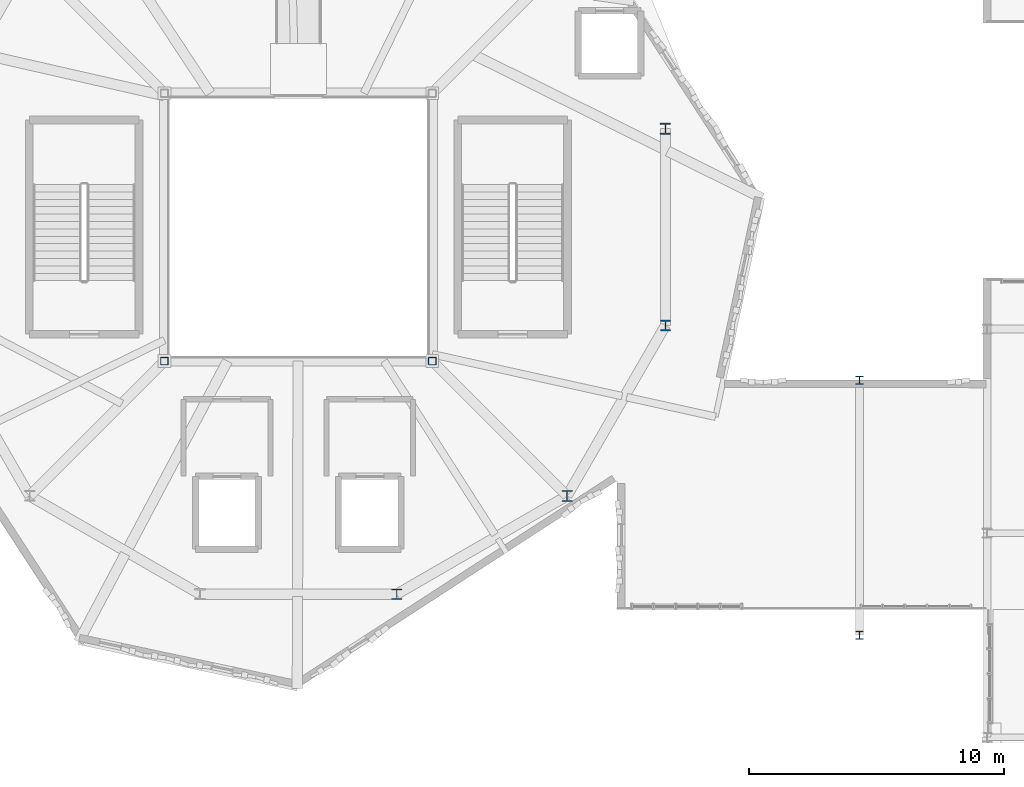
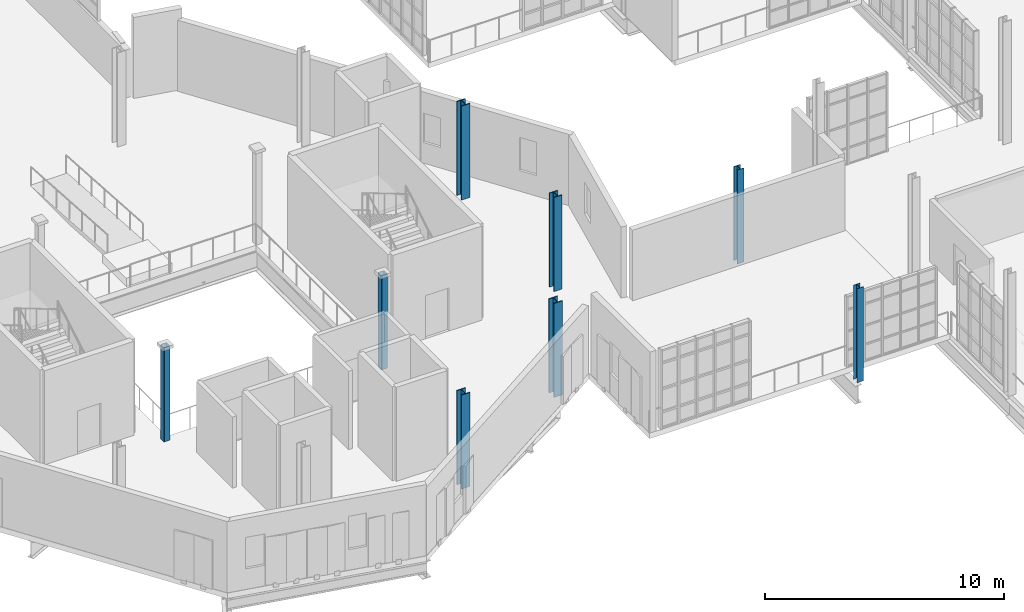
# One storey, part 2 of 118: 8 columns.
"""IFC4 building model written with IfcOpenShell, lengths in metres."""

from ifc_helpers import new_model, si_unit, direction, frame, origin, origin_2d, place, context, subcontext, project, spatial, hollow_rectangle, i_section, extrude, material, material_profile, profile_set, type_object, element, save


model = new_model("IFC4")

# Units and contexts
model_context = context("Model", 3, precision=1e-05, world=origin(), true_north=direction((0.0, 1.0)))
body_context = subcontext(model_context, "Body", "Model", "MODEL_VIEW")
ifc_project = project(units=[si_unit("LENGTHUNIT", "METRE"), si_unit("AREAUNIT", "SQUARE_METRE"), si_unit("VOLUMEUNIT", "CUBIC_METRE"), si_unit("PLANEANGLEUNIT", "RADIAN"), si_unit("MASSUNIT", "GRAM", prefix="KILO"), si_unit("THERMODYNAMICTEMPERATUREUNIT", "KELVIN"), si_unit("POWERUNIT", "WATT")], contexts=[model_context])

# Site, building, storey
site_placement = place(None, origin())
site = spatial("IfcSite", under=ifc_project, at=site_placement, CompositionType="ELEMENT")
building_placement = place(site_placement, origin())
building = spatial("IfcBuilding", under=site, at=building_placement, Name="Zelmaris Science Centre", CompositionType="ELEMENT")
storey_placement = place(building_placement, frame((0.0, 0.0, 15.60009765625)))
storey = spatial("IfcBuildingStorey", under=building, at=storey_placement, Name="L03", CompositionType="ELEMENT", Elevation=15.60009765625)

# Columns
ifc_material_1 = material(Name="Steel ASTM A992 Grade 50", Category="steel")
ifc_material_profile_1 = material_profile(ifc_material_1, i_section(OverallWidth=0.412109375, OverallDepth=0.43408203125, WebThickness=0.035888671875, FlangeThickness=0.044189453125, FilletRadius=0.014892578125, at=origin_2d()), Name="W14X311")
ifc_profile_set_1 = profile_set([ifc_material_profile_1], Name="Steel ASTM A992 Grade 50")
column_type_1 = type_object("IfcColumnType", Name="Column C-01 W14X311", PredefinedType="COLUMN", material=ifc_profile_set_1)
for number, where, z_axis, x_axis, name in (
    (1, (95.392333984375, 39.8564453125, 0.0), (0.0, 0.0, 1.0), (1.0, 0.0, 0.0), "Column V2-MC01 L03"),
    (2, (91.535888671875, 25.464111328125, 0.0), (0.0, 0.0, 1.0), (1.0, 0.0, 0.0), "Column V2-MC11 L03"),
):
    element("IfcColumn", number, at=place(storey_placement, frame(where, z_axis=z_axis, x_axis=x_axis)), inside=storey, type_object=column_type_1, Name=name, PredefinedType="COLUMN", context=body_context, shape_type="SweptSolid", body=[
        extrude(i_section(OverallWidth=0.412109375, OverallDepth=0.43408203125, WebThickness=0.035888671875, FlangeThickness=0.044189453125, FilletRadius=0.014892578125, at=origin_2d()), origin(), (0.0, 0.0, 1.0), 4.7998046875),
    ])
ifc_material_profile_2 = material_profile(ifc_material_1, i_section(OverallWidth=0.406005859375, OverallDepth=0.4169921875, WebThickness=0.02978515625, FlangeThickness=0.04443359375, FilletRadius=0.014892578125, at=origin_2d()), Name="W14X257")
ifc_profile_set_2 = profile_set([ifc_material_profile_2], Name="Steel ASTM A992 Grade 50")
column_type_2 = type_object("IfcColumnType", Name="Column C-02 W14X257", PredefinedType="COLUMN", material=ifc_profile_set_2)
for number, where, z_axis, x_axis, name in (
    (3, (84.8564453125, 21.607666015625, 0.0), (0.0, 0.0, 1.0), (1.0, 0.0, 0.0), "Column V2-MC10 L03"),
    (4, (95.392333984375, 32.1435546875, 0.0), (0.0, 0.0, 1.0), (1.0, 0.0, 0.0), "Column V2-MC12 L03"),
):
    element("IfcColumn", number, at=place(storey_placement, frame(where, z_axis=z_axis, x_axis=x_axis)), inside=storey, type_object=column_type_2, Name=name, PredefinedType="COLUMN", context=body_context, shape_type="SweptSolid", body=[
        extrude(i_section(OverallWidth=0.406005859375, OverallDepth=0.4169921875, WebThickness=0.02978515625, FlangeThickness=0.04443359375, FilletRadius=0.014892578125, at=origin_2d()), origin(), (0.0, 0.0, 1.0), 4.7998046875),
    ])
ifc_material_profile_3 = material_profile(ifc_material_1, i_section(OverallWidth=0.306884765625, OverallDepth=0.31494140625, WebThickness=0.011962890625, FlangeThickness=0.018798828125, FilletRadius=0.012939453125, at=origin_2d()), Name="W12X79")
ifc_profile_set_3 = profile_set([ifc_material_profile_3], Name="Steel ASTM A992 Grade 50")
column_type_3 = type_object("IfcColumnType", Name="Column C-08 W12X79", PredefinedType="COLUMN", material=ifc_profile_set_3)
for number, where, z_axis, x_axis, name in (
    (5, (103.0, 20.0, 0.0), (0.0, 0.0, 1.0), (1.0, 0.0, 0.0), "Column LK-E-20 L03"),
    (6, (103.0, 30.0, 0.0), (0.0, 0.0, 1.0), (1.0, 0.0, 0.0), "Column LK-E-30 L03"),
):
    element("IfcColumn", number, at=place(storey_placement, frame(where, z_axis=z_axis, x_axis=x_axis)), inside=storey, type_object=column_type_3, Name=name, PredefinedType="COLUMN", context=body_context, shape_type="SweptSolid", body=[
        extrude(i_section(OverallWidth=0.306884765625, OverallDepth=0.31494140625, WebThickness=0.011962890625, FlangeThickness=0.018798828125, FilletRadius=0.012939453125, at=origin_2d()), origin(), (0.0, 0.0, 1.0), 4.7998046875),
    ])
ifc_material_2 = material(Name="Steel ASTM A500 Grade C", Category="steel")
ifc_material_profile_4 = material_profile(ifc_material_2, hollow_rectangle(XDim=0.3046875, YDim=0.3046875, WallThickness=0.0146484375, InnerFilletRadius=0.0146484375, OuterFilletRadius=0.029296875, at=origin_2d()), Name="HSS305X305X16")
ifc_profile_set_4 = profile_set([ifc_material_profile_4], Name="Steel ASTM A500 Grade C")
column_type_4 = type_object("IfcColumnType", Name="Column C-10 HSS305X305X16", PredefinedType="COLUMN", material=ifc_profile_set_4)
for number, where, z_axis, x_axis, name in (
    (7, (75.75, 30.75, 0.0), (0.0, 0.0, 1.0), (1.0, 0.0, 0.0), "Column V2-AC01 L03"),
    (8, (86.25, 30.75, 0.0), (0.0, 0.0, 1.0), (1.0, 0.0, 0.0), "Column V2-AC02 L03"),
):
    element("IfcColumn", number, at=place(storey_placement, frame(where, z_axis=z_axis, x_axis=x_axis)), inside=storey, type_object=column_type_4, Name=name, PredefinedType="COLUMN", context=body_context, shape_type="SweptSolid", body=[
        extrude(hollow_rectangle(XDim=0.3046875, YDim=0.3046875, WallThickness=0.0146484375, InnerFilletRadius=0.0146484375, OuterFilletRadius=0.029296875, at=origin_2d()), origin(), (0.0, 0.0, 1.0), 4.7998046875),
    ])

save(model, "model.ifc")
